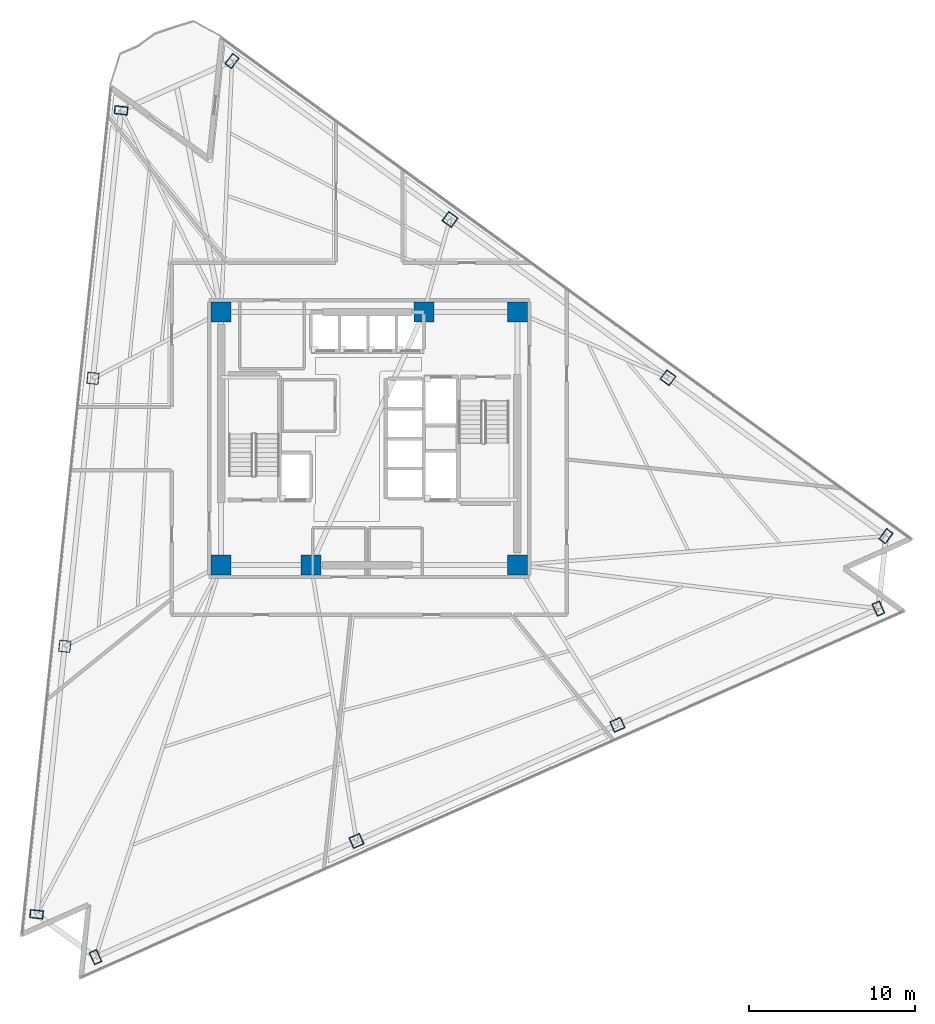
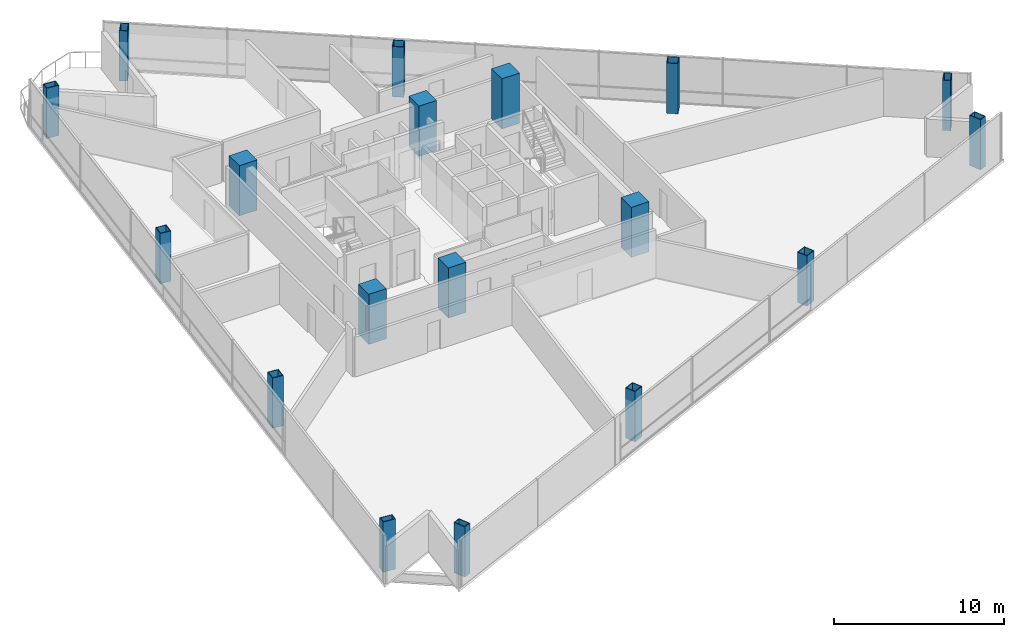
# One storey, part 1 of 17: 18 columns.
"""IFC4 building model written with IfcOpenShell, lengths in metres."""

from ifc_helpers import new_model, si_unit, direction, frame, origin, origin_2d, place, context, subcontext, project, spatial, rectangle, hollow_rectangle, extrude, material, material_profile, profile_set, type_object, element, save


model = new_model("IFC4")

# Units and contexts
model_context = context("Model", 3, precision=1e-05, world=origin(), true_north=direction((0.0, 1.0)))
body_context = subcontext(model_context, "Body", "Model", "MODEL_VIEW")
ifc_project = project(units=[si_unit("LENGTHUNIT", "METRE"), si_unit("AREAUNIT", "SQUARE_METRE"), si_unit("VOLUMEUNIT", "CUBIC_METRE"), si_unit("PLANEANGLEUNIT", "RADIAN"), si_unit("MASSUNIT", "GRAM", prefix="KILO")], contexts=[model_context])

# Site, building, storey
site_placement = place(None, origin())
site = spatial("IfcSite", under=ifc_project, at=site_placement, CompositionType="ELEMENT")
building_placement = place(site_placement, origin())
building = spatial("IfcBuilding", under=site, at=building_placement, Name="Tharavind Bronze Gate", CompositionType="ELEMENT")
storey_placement = place(building_placement, frame((0.0, 0.0, 119.64990234375)))
storey = spatial("IfcBuildingStorey", under=building, at=storey_placement, Name="L30", CompositionType="ELEMENT", Elevation=119.64990234375)

# Columns
ifc_material_1 = material(Name="Steel S460", Category="steel")
ifc_material_profile_1 = material_profile(ifc_material_1, hollow_rectangle(XDim=0.5, YDim=0.800048828125, WallThickness=0.0400390625, at=origin_2d()), Name="RHS800X500X40")
ifc_profile_set_1 = profile_set([ifc_material_profile_1], Name="Steel S460")
column_type_1 = type_object("IfcColumnType", Name="CORNER NOTCH COLUMN RHS800X500", PredefinedType="COLUMN", material=ifc_profile_set_1)
for number, where, z_axis, x_axis, name in (
    (1, (-14.91748046875, 19.7314453125, 0.0), (0.0, 0.0, 1.0), (0.104530199036, 0.99452171293, 0.0), "L30 perimeter column S1C1"),
    (2, (-19.9970703125, -28.597900390625, 0.0), (0.0, 0.0, 1.0), (0.104530199036, 0.99452171293, 0.0), "L30 perimeter column S1C4"),
    (3, (-16.45361328125, -31.17236328125, 0.0), (0.0, 0.0, 1.0), (0.913545457643, 0.406736643076, 0.0), "L30 perimeter column S2C1"),
    (4, (30.60791015625, -10.218994140625, 0.0), (0.0, 0.0, 1.0), (0.913545457643, 0.406736643076, 0.0), "L30 perimeter column S2C4"),
    (5, (31.06591796875, -5.863037109375, 0.0), (0.0, 0.0, 1.0), (-0.809016994375, 0.587785252292, 0.0), "L30 perimeter column S3C1"),
    (6, (-8.24853515625, 22.70068359375, 0.0), (0.0, 0.0, 1.0), (-0.809016994375, 0.587785252292, 0.0), "L30 perimeter column S3C4"),
):
    element("IfcColumn", number, at=place(storey_placement, frame(where, z_axis=z_axis, x_axis=x_axis)), inside=storey, type_object=column_type_1, Name=name, PredefinedType="COLUMN", context=body_context, shape_type="SweptSolid", body=[
        extrude(hollow_rectangle(XDim=0.5, YDim=0.800048828125, WallThickness=0.0400390625, at=origin_2d()), origin(), (0.0, 0.0, 1.0), 3.60009765625),
    ])
ifc_material_2 = material(Name="Concrete C60/75", Category="concrete")
ifc_material_profile_2 = material_profile(ifc_material_2, rectangle(XDim=1.199951171875, YDim=1.199951171875, at=origin_2d()), Name="RCCOL1200")
ifc_profile_set_2 = profile_set([ifc_material_profile_2], Name="Concrete C60/75")
column_type_2 = type_object("IfcColumnType", Name="MEGA CORE COLUMN 1200", PredefinedType="COLUMN", material=ifc_profile_set_2)
for number, where, z_axis, x_axis, name in (
    (7, (-8.89990234375, -7.60009765625, 0.0), (0.0, 0.0, 1.0), (1.0, 0.0, 0.0), "L30 core mega column MC1"),
    (8, (-3.5, -7.60009765625, 0.0), (0.0, 0.0, 1.0), (1.0, 0.0, 0.0), "L30 core mega column MC2"),
    (9, (8.89990234375, -7.60009765625, 0.0), (0.0, 0.0, 1.0), (1.0, 0.0, 0.0), "L30 core mega column MC3"),
    (10, (8.89990234375, 7.60009765625, 0.0), (0.0, 0.0, 1.0), (1.0, 0.0, 0.0), "L30 core mega column MC4"),
    (11, (3.280029296875, 7.60009765625, 0.0), (0.0, 0.0, 1.0), (1.0, 0.0, 0.0), "L30 core mega column MC5"),
    (12, (-8.89990234375, 7.60009765625, 0.0), (0.0, 0.0, 1.0), (1.0, 0.0, 0.0), "L30 core mega column MC6"),
):
    element("IfcColumn", number, at=place(storey_placement, frame(where, z_axis=z_axis, x_axis=x_axis)), inside=storey, type_object=column_type_2, Name=name, PredefinedType="COLUMN", context=body_context, shape_type="SweptSolid", body=[
        extrude(rectangle(XDim=1.199951171875, YDim=1.199951171875, at=origin_2d()), origin(), (0.0, 0.0, 1.0), 3.60009765625),
    ])
ifc_material_profile_3 = material_profile(ifc_material_1, hollow_rectangle(XDim=0.699951171875, YDim=0.699951171875, WallThickness=0.0400390625, at=origin_2d()), Name="SHS700X40")
ifc_profile_set_3 = profile_set([ifc_material_profile_3], Name="Steel S460")
column_type_3 = type_object("IfcColumnType", Name="PERIMETER BOX COLUMN SHS700", PredefinedType="COLUMN", material=ifc_profile_set_3)
for number, where, z_axis, x_axis, name in (
    (13, (-16.610595703125, 3.62158203125, 0.0), (0.0, 0.0, 1.0), (0.104530199036, 0.99452171293, 0.0), "L30 perimeter column S1C2"),
    (14, (-18.303955078125, -12.488037109375, 0.0), (0.0, 0.0, 1.0), (0.104530199036, 0.99452171293, 0.0), "L30 perimeter column S1C3"),
    (15, (-0.766357421875, -24.18798828125, 0.0), (0.0, 0.0, 1.0), (0.913545457643, 0.406736643076, 0.0), "L30 perimeter column S2C2"),
    (16, (14.9208984375, -17.20361328125, 0.0), (0.0, 0.0, 1.0), (0.913545457643, 0.406736643076, 0.0), "L30 perimeter column S2C3"),
    (17, (17.961181640625, 3.658203125, 0.0), (0.0, 0.0, 1.0), (-0.809016994375, 0.587785252292, 0.0), "L30 perimeter column S3C2"),
    (18, (4.856201171875, 13.179443359375, 0.0), (0.0, 0.0, 1.0), (-0.809016994375, 0.587785252292, 0.0), "L30 perimeter column S3C3"),
):
    element("IfcColumn", number, at=place(storey_placement, frame(where, z_axis=z_axis, x_axis=x_axis)), inside=storey, type_object=column_type_3, Name=name, PredefinedType="COLUMN", context=body_context, shape_type="SweptSolid", body=[
        extrude(hollow_rectangle(XDim=0.699951171875, YDim=0.699951171875, WallThickness=0.0400390625, at=origin_2d()), origin(), (0.0, 0.0, 1.0), 3.60009765625),
    ])

save(model, "model.ifc")
